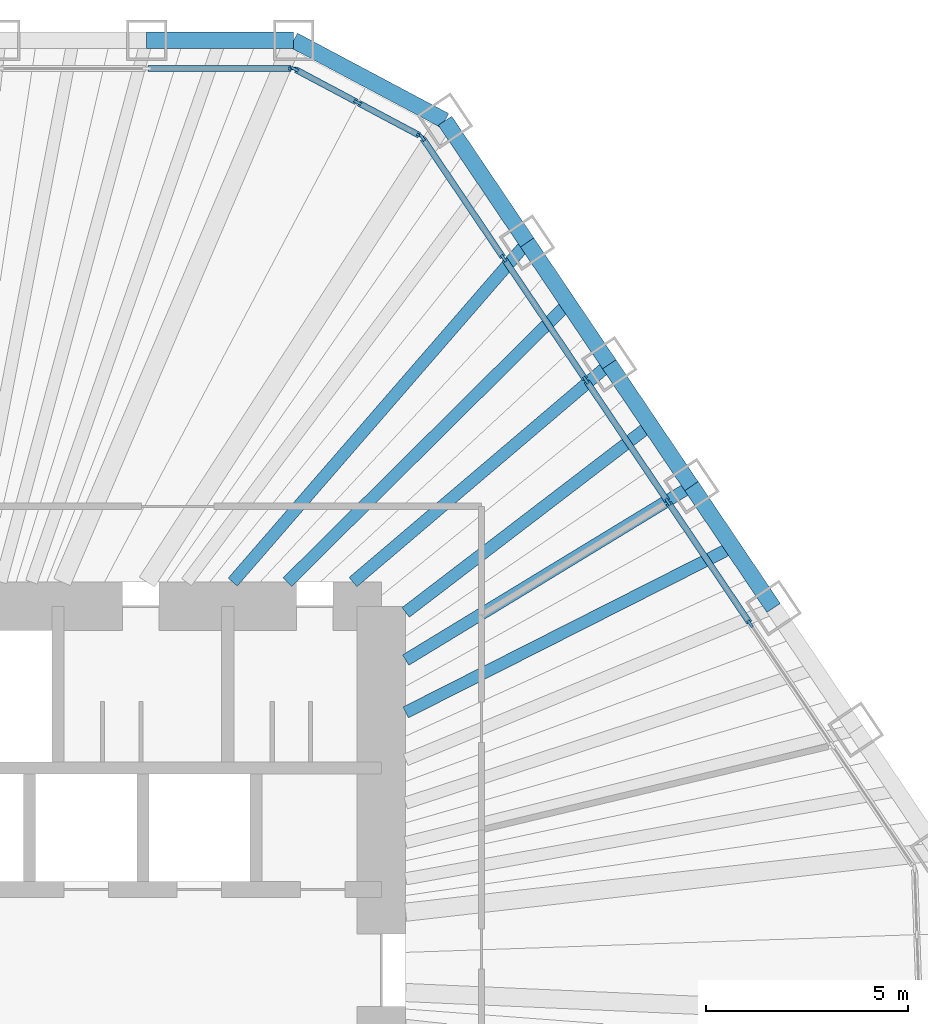
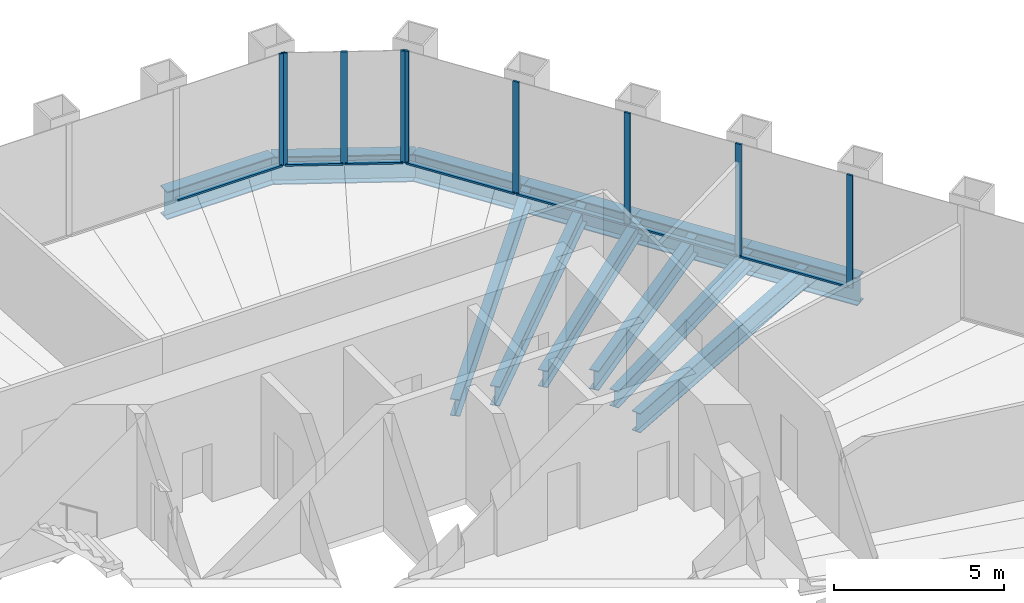
# One storey, part 7 of 13: 16 members, 12 beams, 3 elements without a shape of their own.
"""IFC4 building model written with IfcOpenShell, lengths in metres."""

from ifc_helpers import new_model, si_unit, direction, frame, origin, origin_2d, place, context, subcontext, project, spatial, rectangle, i_section, extrude, material, material_profile, profile_set, type_object, element, aggregate, save


model = new_model("IFC4")

# Units and contexts
model_context = context("Model", 3, precision=1e-05, world=origin(), true_north=direction((0.0, 1.0)))
body_context = subcontext(model_context, "Body", "Model", "MODEL_VIEW")
ifc_project = project(units=[si_unit("LENGTHUNIT", "METRE"), si_unit("AREAUNIT", "SQUARE_METRE"), si_unit("VOLUMEUNIT", "CUBIC_METRE"), si_unit("PLANEANGLEUNIT", "RADIAN"), si_unit("MASSUNIT", "GRAM", prefix="KILO")], contexts=[model_context])

# Site, building, storey
site_placement = place(None, origin())
site = spatial("IfcSite", under=ifc_project, at=site_placement, CompositionType="ELEMENT")
building_placement = place(site_placement, origin())
building = spatial("IfcBuilding", under=site, at=building_placement, Name="Qingtian Harvest Tower", CompositionType="ELEMENT")
storey_placement = place(building_placement, frame((0.0, 0.0, 222.39990234375)))
storey = spatial("IfcBuildingStorey", under=building, at=storey_placement, Name="L48", CompositionType="ELEMENT", Elevation=222.39990234375)

# Beams
ifc_material_1 = material(Name="Steel SN490B", Category="steel")
ifc_material_profile_1 = material_profile(ifc_material_1, i_section(OverallWidth=0.300048828125, OverallDepth=0.60009765625, WebThickness=0.011962890625, FlangeThickness=0.02001953125, at=origin_2d()), Name="H600x300x12x20")
ifc_profile_set_1 = profile_set([ifc_material_profile_1], Name="Steel SN490B")
beam_type_1 = type_object("IfcBeamType", Name="Floor beam FB3 H600x300x12x20", PredefinedType="BEAM", material=ifc_profile_set_1)
beam_1_placement = place(storey_placement, frame((15.603271484375, 17.998046875, -0.469970703125), z_axis=(-0.655048444444, -0.755586881458, 0.0), x_axis=(0.755586881458, -0.655048444444, 0.0)))
element("IfcBeam", 1, at=beam_1_placement, inside=storey, type_object=beam_type_1, Name="Floor beam FB3 NE1", PredefinedType="BEAM", context=body_context, shape_type="SweptSolid", body=[
    extrude(i_section(OverallWidth=0.300048828125, OverallDepth=0.60009765625, WebThickness=0.011962890625, FlangeThickness=0.02001953125, at=origin_2d()), origin(), (0.0, 0.0, 1.0), 11.114501953125),
])
beam_2_placement = place(storey_placement, frame((17.635009765625, 14.985595703125, -0.469970703125), z_axis=(-0.762028398305, -0.647543604846, 0.0), x_axis=(0.647543604846, -0.762028398305, 0.0)))
element("IfcBeam", 2, at=beam_2_placement, inside=storey, type_object=beam_type_1, Name="Floor beam FB3 NE2", PredefinedType="BEAM", context=body_context, shape_type="SweptSolid", body=[
    extrude(i_section(OverallWidth=0.300048828125, OverallDepth=0.60009765625, WebThickness=0.011962890625, FlangeThickness=0.02001953125, at=origin_2d()), origin(), (0.0, 0.0, 1.0), 8.31689453125),
])
beam_3_placement = place(storey_placement, frame((19.6669921875, 11.97314453125, -0.469970703125), z_axis=(-0.854163224424, -0.520004986554, 0.0), x_axis=(0.520004986554, -0.854163224424, 0.0)))
element("IfcBeam", 3, at=beam_3_placement, inside=storey, type_object=beam_type_1, Name="Floor beam FB3 NE3", PredefinedType="BEAM", context=body_context, shape_type="SweptSolid", body=[
    extrude(i_section(OverallWidth=0.300048828125, OverallDepth=0.60009765625, WebThickness=0.011962890625, FlangeThickness=0.02001953125, at=origin_2d()), origin(), (0.0, 0.0, 1.0), 8.2734375),
])
ifc_material_2 = material(Name="Steel SN490B", Category="steel")
ifc_material_profile_2 = material_profile(ifc_material_2, i_section(OverallWidth=0.300048828125, OverallDepth=0.699951171875, WebThickness=0.012939453125, FlangeThickness=0.02392578125, at=origin_2d()), Name="H700x300x13x24")
ifc_profile_set_2 = profile_set([ifc_material_profile_2], Name="Steel SN490B")
beam_type_2 = type_object("IfcBeamType", Name="Floor joist J2 H700x300x13x24", PredefinedType="JOIST", material=ifc_profile_set_2)
beam_4_placement = place(storey_placement, frame((16.619140625, 16.49169921875, -0.52001953125), z_axis=(-0.709833839663, -0.704369164622, 0.0), x_axis=(0.704369164622, -0.709833839663, 0.0)))
element("IfcBeam", 4, at=beam_4_placement, inside=storey, type_object=beam_type_2, Name="Floor joist J2 NE1", PredefinedType="JOIST", context=body_context, shape_type="SweptSolid", body=[
    extrude(i_section(OverallWidth=0.300048828125, OverallDepth=0.699951171875, WebThickness=0.012939453125, FlangeThickness=0.02392578125, at=origin_2d()), origin(), (0.0, 0.0, 1.0), 9.7841796875),
])
beam_5_placement = place(storey_placement, frame((18.651123046875, 13.4794921875, -0.52001953125), z_axis=(-0.794222288871, -0.607627316585, 0.0), x_axis=(0.607627316585, -0.794222288871, 0.0)))
element("IfcBeam", 5, at=beam_5_placement, inside=storey, type_object=beam_type_2, Name="Floor joist J2 NE2", PredefinedType="JOIST", context=body_context, shape_type="SweptSolid", body=[
    extrude(i_section(OverallWidth=0.300048828125, OverallDepth=0.699951171875, WebThickness=0.012939453125, FlangeThickness=0.02392578125, at=origin_2d()), origin(), (0.0, 0.0, 1.0), 7.618896484375),
])
beam_6_placement = place(storey_placement, frame((20.682861328125, 10.467041015625, -0.52001953125), z_axis=(-0.892244443914, -0.451552712652, 0.0), x_axis=(0.451552712652, -0.892244443914, 0.0)))
element("IfcBeam", 6, at=beam_6_placement, inside=storey, type_object=beam_type_2, Name="Floor joist J2 NE3", PredefinedType="JOIST", context=body_context, shape_type="SweptSolid", body=[
    extrude(i_section(OverallWidth=0.300048828125, OverallDepth=0.699951171875, WebThickness=0.012939453125, FlangeThickness=0.02392578125, at=origin_2d()), origin(), (0.0, 0.0, 1.0), 9.058837890625),
])

# Curtain wall, member
ifc_material_3 = material(Name="Bronze-anodised aluminium curtain wall", Category="aluminium")
curtain_wall_type = type_object("IfcCurtainWallType", Name="Curtain wall CW4 office", PredefinedType="USERDEFINED", material=ifc_material_3)
curtain_wall_1_placement = place(storey_placement, origin())
curtain_wall_1 = element("IfcCurtainWall", 7, at=curtain_wall_1_placement, inside=storey, type_object=curtain_wall_type, Name="Curtain wall CW4 L48 N0-5", ObjectType="RECESSED CURTAIN WALL", PredefinedType="USERDEFINED")
ifc_material_4 = material(Name="Bronze-anodised aluminium mullion", Category="aluminium")
ifc_material_profile_3 = material_profile(ifc_material_4, rectangle(XDim=0.06494140625, YDim=0.199951171875, at=origin_2d()), Name="AL 65x200")
ifc_profile_set_3 = profile_set([ifc_material_profile_3], Name="Bronze-anodised aluminium mullion")
member_type_1 = type_object("IfcMemberType", Name="Mullion CWM 65x200", PredefinedType="MULLION", material=ifc_profile_set_3)
member_1_placement = place(storey_placement, frame((9.796875, 22.300048828125, 0.0), z_axis=(0.0, 0.0, 1.0), x_axis=(0.0, 1.0, 0.0)))
member_1 = element("IfcMember", 8, at=member_1_placement, type_object=member_type_1, Name="CW4 mullion 7", PredefinedType="MULLION", context=body_context, shape_type="SweptSolid", body=[
    extrude(rectangle(XDim=0.06494140625, YDim=0.199951171875, at=origin_2d()), origin(), (0.0, 0.0, 1.0), 4.030029296875),
])

# Curtain wall, members
curtain_wall_2_placement = place(storey_placement, origin())
curtain_wall_2 = element("IfcCurtainWall", 9, at=curtain_wall_2_placement, inside=storey, type_object=curtain_wall_type, Name="Curtain wall CW4 L48 NC", ObjectType="RECESSED CURTAIN WALL", PredefinedType="USERDEFINED")
member_2_placement = place(storey_placement, frame((9.85791015625, 22.28466796875, 0.0), z_axis=(0.0, 0.0, 1.0), x_axis=(0.469471562786, 0.882947592859, 0.0)))
member_2 = element("IfcMember", 10, at=member_2_placement, type_object=member_type_1, Name="CW4 mullion 1", PredefinedType="MULLION", context=body_context, shape_type="SweptSolid", body=[
    extrude(rectangle(XDim=0.06494140625, YDim=0.199951171875, at=origin_2d()), origin(), (0.0, 0.0, 1.0), 4.030029296875),
])
member_3_placement = place(storey_placement, frame((11.41015625, 21.45947265625, 0.0), z_axis=(0.0, 0.0, 1.0), x_axis=(0.469471562786, 0.882947592859, 0.0)))
member_3 = element("IfcMember", 11, at=member_3_placement, type_object=member_type_1, Name="CW4 mullion 2", PredefinedType="MULLION", context=body_context, shape_type="SweptSolid", body=[
    extrude(rectangle(XDim=0.06494140625, YDim=0.199951171875, at=origin_2d()), origin(), (0.0, 0.0, 1.0), 4.030029296875),
])
member_4_placement = place(storey_placement, frame((12.96240234375, 20.634033203125, 0.0), z_axis=(0.0, 0.0, 1.0), x_axis=(0.469471562786, 0.882947592859, 0.0)))
member_4 = element("IfcMember", 12, at=member_4_placement, type_object=member_type_1, Name="CW4 mullion 3", PredefinedType="MULLION", context=body_context, shape_type="SweptSolid", body=[
    extrude(rectangle(XDim=0.06494140625, YDim=0.199951171875, at=origin_2d()), origin(), (0.0, 0.0, 1.0), 4.030029296875),
])

curtain_wall_3_placement = place(storey_placement, origin())
curtain_wall_3 = element("IfcCurtainWall", 13, at=curtain_wall_3_placement, inside=storey, type_object=curtain_wall_type, Name="Curtain wall CW4 L48 NE0-5", ObjectType="RECESSED CURTAIN WALL", PredefinedType="USERDEFINED")
member_5_placement = place(storey_placement, frame((13.00927734375, 20.592041015625, 0.0), z_axis=(0.0, 0.0, 1.0), x_axis=(0.829037572555, 0.559192903471, 0.0)))
member_5 = element("IfcMember", 14, at=member_5_placement, type_object=member_type_1, Name="CW4 mullion 1", PredefinedType="MULLION", context=body_context, shape_type="SweptSolid", body=[
    extrude(rectangle(XDim=0.06494140625, YDim=0.199951171875, at=origin_2d()), origin(), (0.0, 0.0, 1.0), 4.030029296875),
])
member_6_placement = place(storey_placement, frame((15.02294921875, 17.6064453125, 0.0), z_axis=(0.0, 0.0, 1.0), x_axis=(0.829037572555, 0.559192903471, 0.0)))
member_6 = element("IfcMember", 15, at=member_6_placement, type_object=member_type_1, Name="CW4 mullion 2", PredefinedType="MULLION", context=body_context, shape_type="SweptSolid", body=[
    extrude(rectangle(XDim=0.06494140625, YDim=0.199951171875, at=origin_2d()), origin(), (0.0, 0.0, 1.0), 4.030029296875),
])
member_7_placement = place(storey_placement, frame((17.0546875, 14.59423828125, 0.0), z_axis=(0.0, 0.0, 1.0), x_axis=(0.829037572555, 0.559192903471, 0.0)))
member_7 = element("IfcMember", 16, at=member_7_placement, type_object=member_type_1, Name="CW4 mullion 3", PredefinedType="MULLION", context=body_context, shape_type="SweptSolid", body=[
    extrude(rectangle(XDim=0.06494140625, YDim=0.199951171875, at=origin_2d()), origin(), (0.0, 0.0, 1.0), 4.030029296875),
])
member_8_placement = place(storey_placement, frame((19.086669921875, 11.581787109375, 0.0), z_axis=(0.0, 0.0, 1.0), x_axis=(0.829037572555, 0.559192903471, 0.0)))
member_8 = element("IfcMember", 17, at=member_8_placement, type_object=member_type_1, Name="CW4 mullion 4", PredefinedType="MULLION", context=body_context, shape_type="SweptSolid", body=[
    extrude(rectangle(XDim=0.06494140625, YDim=0.199951171875, at=origin_2d()), origin(), (0.0, 0.0, 1.0), 4.030029296875),
])
member_9_placement = place(storey_placement, frame((21.118408203125, 8.569580078125, 0.0), z_axis=(0.0, 0.0, 1.0), x_axis=(0.829037572555, 0.559192903471, 0.0)))
member_9 = element("IfcMember", 18, at=member_9_placement, type_object=member_type_1, Name="CW4 mullion 5", PredefinedType="MULLION", context=body_context, shape_type="SweptSolid", body=[
    extrude(rectangle(XDim=0.06494140625, YDim=0.199951171875, at=origin_2d()), origin(), (0.0, 0.0, 1.0), 4.030029296875),
])

# Beams
ifc_material_5 = material(Name="Steel SN490B", Category="steel")
ifc_material_profile_4 = material_profile(ifc_material_5, i_section(OverallWidth=0.39990234375, OverallDepth=1.0, WebThickness=0.01904296875, FlangeThickness=0.035888671875, at=origin_2d()), Name="H1000x400x19x36")
ifc_profile_set_4 = profile_set([ifc_material_profile_4], Name="Steel SN490B")
beam_type_3 = type_object("IfcBeamType", Name="Spandrel beam SB3 H1000x400x19x36", PredefinedType="SPANDREL", material=ifc_profile_set_4)
beam_7_placement = place(storey_placement, frame((6.19580078125, 23.0, -0.5), z_axis=(1.0, 0.0, 0.0), x_axis=(0.0, 1.0, 0.0)))
element("IfcBeam", 19, at=beam_7_placement, inside=storey, type_object=beam_type_3, Name="Spandrel SB3 N5", PredefinedType="SPANDREL", context=body_context, shape_type="SweptSolid", body=[
    extrude(i_section(OverallWidth=0.39990234375, OverallDepth=1.0, WebThickness=0.01904296875, FlangeThickness=0.035888671875, at=origin_2d()), origin(), (0.0, 0.0, 1.0), 3.633544921875),
])
beam_8_placement = place(storey_placement, frame((9.829345703125, 23.0, -0.5), z_axis=(0.882935902835, -0.469493547863, 0.0), x_axis=(0.469493547863, 0.882935902835, 0.0)))
element("IfcBeam", 20, at=beam_8_placement, inside=storey, type_object=beam_type_3, Name="Spandrel SB3 NC", PredefinedType="SPANDREL", context=body_context, shape_type="SweptSolid", body=[
    extrude(i_section(OverallWidth=0.39990234375, OverallDepth=1.0, WebThickness=0.01904296875, FlangeThickness=0.035888671875, at=origin_2d()), origin(), (0.0, 0.0, 1.0), 4.238037109375),
])
for number, where, z_axis, x_axis, name in (
    (21, (13.5712890625, 21.01025390625, -0.5), (0.559235108412, -0.829009103399, 0.0), (0.829009103399, 0.559235108412, 0.0), "Spandrel SB3 NE0"),
    (22, (15.603271484375, 17.998046875, -0.5), (0.55915777886, -0.829061263321, 0.0), (0.829061263321, 0.55915777886, 0.0), "Spandrel SB3 NE1"),
):
    element("IfcBeam", number, at=place(storey_placement, frame(where, z_axis=z_axis, x_axis=x_axis)), inside=storey, type_object=beam_type_3, Name=name, PredefinedType="SPANDREL", context=body_context, shape_type="SweptSolid", body=[
        extrude(i_section(OverallWidth=0.39990234375, OverallDepth=1.0, WebThickness=0.01904296875, FlangeThickness=0.035888671875, at=origin_2d()), origin(), (0.0, 0.0, 1.0), 3.633544921875),
    ])
beam_9_placement = place(storey_placement, frame((17.635009765625, 14.985595703125, -0.5), z_axis=(0.55920395902, -0.829030115385, 0.0), x_axis=(0.829030115385, 0.55920395902, 0.0)))
element("IfcBeam", 23, at=beam_9_placement, inside=storey, type_object=beam_type_3, Name="Spandrel SB3 NE2", PredefinedType="SPANDREL", context=body_context, shape_type="SweptSolid", body=[
    extrude(i_section(OverallWidth=0.39990234375, OverallDepth=1.0, WebThickness=0.01904296875, FlangeThickness=0.035888671875, at=origin_2d()), origin(), (0.0, 0.0, 1.0), 3.6337890625),
])
beam_10_placement = place(storey_placement, frame((19.6669921875, 11.97314453125, -0.5), z_axis=(0.559188928021, -0.829040254016, 0.0), x_axis=(0.829040254016, 0.559188928021, 0.0)))
element("IfcBeam", 24, at=beam_10_placement, inside=storey, type_object=beam_type_3, Name="Spandrel SB3 NE3", PredefinedType="SPANDREL", context=body_context, shape_type="SweptSolid", body=[
    extrude(i_section(OverallWidth=0.39990234375, OverallDepth=1.0, WebThickness=0.01904296875, FlangeThickness=0.035888671875, at=origin_2d()), origin(), (0.0, 0.0, 1.0), 3.63330078125),
])

# Member
ifc_material_6 = material(Name="Bronze-anodised aluminium transom", Category="aluminium")
ifc_material_profile_5 = material_profile(ifc_material_6, rectangle(XDim=0.14990234375, YDim=0.06494140625, at=origin_2d()), Name="AL 65x150")
ifc_profile_set_5 = profile_set([ifc_material_profile_5], Name="Bronze-anodised aluminium transom")
member_type_2 = type_object("IfcMemberType", Name="Transom CWT 65x150", PredefinedType="USERDEFINED", material=ifc_profile_set_5)
member_10_placement = place(storey_placement, frame((6.228271484375, 22.300048828125, 0.03271484375), z_axis=(1.0, 0.0, 0.0), x_axis=(0.0, 1.0, 0.0)))
member_10 = element("IfcMember", 25, at=member_10_placement, type_object=member_type_2, Name="CW4 transom 6.1", ObjectType="TRANSOM", PredefinedType="USERDEFINED", context=body_context, shape_type="SweptSolid", body=[
    extrude(rectangle(XDim=0.14990234375, YDim=0.06494140625, at=origin_2d()), origin(), (0.0, 0.0, 1.0), 3.5361328125),
])

aggregate(curtain_wall_1, [member_1, member_10])

member_11_placement = place(storey_placement, frame((9.88671875, 22.26953125, 0.03271484375), z_axis=(0.882927080927, -0.469510138086, 0.0), x_axis=(0.469510138086, 0.882927080927, 0.0)))
member_11 = element("IfcMember", 26, at=member_11_placement, type_object=member_type_2, Name="CW4 transom 1.1", ObjectType="TRANSOM", PredefinedType="USERDEFINED", context=body_context, shape_type="SweptSolid", body=[
    extrude(rectangle(XDim=0.14990234375, YDim=0.06494140625, at=origin_2d()), origin(), (0.0, 0.0, 1.0), 1.693115234375),
])

member_12_placement = place(storey_placement, frame((11.43896484375, 21.444091796875, 0.03271484375), z_axis=(0.882955074232, -0.469457492098, 0.0), x_axis=(0.469457492098, 0.882955074232, 0.0)))
member_12 = element("IfcMember", 27, at=member_12_placement, type_object=member_type_2, Name="CW4 transom 2.1", ObjectType="TRANSOM", PredefinedType="USERDEFINED", context=body_context, shape_type="SweptSolid", body=[
    extrude(rectangle(XDim=0.14990234375, YDim=0.06494140625, at=origin_2d()), origin(), (0.0, 0.0, 1.0), 1.69287109375),
])

aggregate(curtain_wall_2, [member_2, member_3, member_4, member_11, member_12])

member_13_placement = place(storey_placement, frame((13.02734375, 20.56494140625, 0.03271484375), z_axis=(0.559201266891, -0.829031931295, 0.0), x_axis=(0.829031931295, 0.559201266891, 0.0)))
member_13 = element("IfcMember", 28, at=member_13_placement, type_object=member_type_2, Name="CW4 transom 1.1", ObjectType="TRANSOM", PredefinedType="USERDEFINED", context=body_context, shape_type="SweptSolid", body=[
    extrude(rectangle(XDim=0.14990234375, YDim=0.06494140625, at=origin_2d()), origin(), (0.0, 0.0, 1.0), 3.535888671875),
])

member_14_placement = place(storey_placement, frame((15.041015625, 17.57958984375, 0.03271484375), z_axis=(0.559207281901, -0.829027874, 0.0), x_axis=(0.829027874, 0.559207281901, 0.0)))
member_14 = element("IfcMember", 29, at=member_14_placement, type_object=member_type_2, Name="CW4 transom 2.1", ObjectType="TRANSOM", PredefinedType="USERDEFINED", context=body_context, shape_type="SweptSolid", body=[
    extrude(rectangle(XDim=0.14990234375, YDim=0.06494140625, at=origin_2d()), origin(), (0.0, 0.0, 1.0), 3.568603515625),
])

member_15_placement = place(storey_placement, frame((17.072998046875, 14.567138671875, 0.03271484375), z_axis=(0.559191977147, -0.829038197368, 0.0), x_axis=(0.829038197368, 0.559191977147, 0.0)))
member_15 = element("IfcMember", 30, at=member_15_placement, type_object=member_type_2, Name="CW4 transom 3.1", ObjectType="TRANSOM", PredefinedType="USERDEFINED", context=body_context, shape_type="SweptSolid", body=[
    extrude(rectangle(XDim=0.14990234375, YDim=0.06494140625, at=origin_2d()), origin(), (0.0, 0.0, 1.0), 3.568359375),
])

member_16_placement = place(storey_placement, frame((19.104736328125, 11.554931640625, 0.03271484375), z_axis=(0.559207281901, -0.829027874, 0.0), x_axis=(0.829027874, 0.559207281901, 0.0)))
member_16 = element("IfcMember", 31, at=member_16_placement, type_object=member_type_2, Name="CW4 transom 4.1", ObjectType="TRANSOM", PredefinedType="USERDEFINED", context=body_context, shape_type="SweptSolid", body=[
    extrude(rectangle(XDim=0.14990234375, YDim=0.06494140625, at=origin_2d()), origin(), (0.0, 0.0, 1.0), 3.568603515625),
])

aggregate(curtain_wall_3, [member_5, member_6, member_7, member_8, member_9, member_13, member_14, member_15, member_16])

save(model, "model.ifc")
